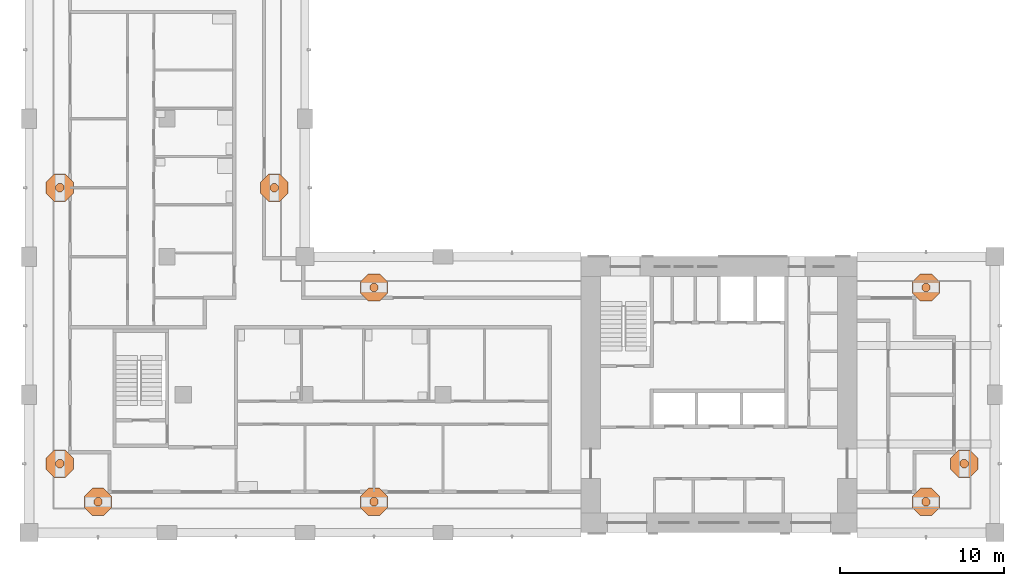
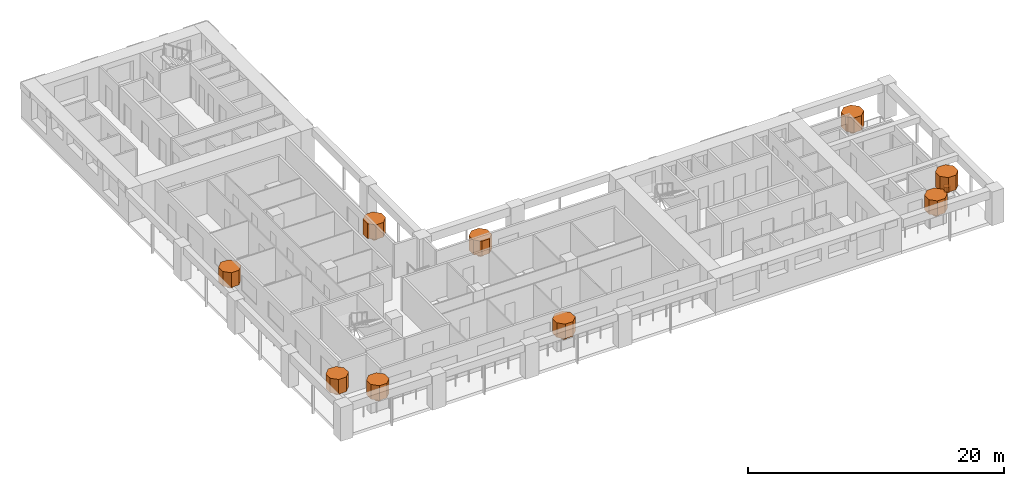
# One storey, part 13 of 13: 18 geographic elements.
"""IFC4 building model written with IfcOpenShell, lengths in metres."""

from ifc_helpers import new_model, si_unit, direction, frame, origin, place, context, subcontext, project, spatial, polyline, outline, extrude, material, element, save


model = new_model("IFC4")

# Units and contexts
model_context = context("Model", 3, precision=1e-05, world=origin(), true_north=direction((0.0, 1.0)))
body_context = subcontext(model_context, "Body", "Model", "MODEL_VIEW")
ifc_project = project(units=[si_unit("LENGTHUNIT", "METRE"), si_unit("AREAUNIT", "SQUARE_METRE"), si_unit("VOLUMEUNIT", "CUBIC_METRE"), si_unit("PLANEANGLEUNIT", "RADIAN"), si_unit("MASSUNIT", "GRAM", prefix="KILO")], contexts=[model_context])

# Site, building, storey
site_placement = place(None, origin())
site = spatial("IfcSite", under=ifc_project, at=site_placement, CompositionType="ELEMENT")
building_placement = place(site_placement, origin())
building = spatial("IfcBuilding", under=site, at=building_placement, Name="Vermilion Gate Residences", CompositionType="ELEMENT")
storey_placement = place(building_placement, frame((0.0, 0.0, 158.199951171875)))
storey = spatial("IfcBuildingStorey", under=building, at=storey_placement, Name="L40", CompositionType="ELEMENT", Elevation=158.199951171875)

# Geographic elements
ifc_material = material(Name="Foliage")
geographic_element_1_placement = place(storey_placement, frame((0.0, 0.0, 0.900146484375)))
element("IfcGeographicElement", 1, at=geographic_element_1_placement, inside=storey, material=ifc_material, Name="Tree (maple)", ObjectType="TREE", PredefinedType="USERDEFINED", context=body_context, shape_type="SweptSolid", body=[
    extrude(outline(polyline([(12.85400390625, 10.380126953125), (12.705078125, 10.529052734375), (12.494873046875, 10.529052734375), (12.345947265625, 10.380126953125), (12.345947265625, 10.169921875), (12.494873046875, 10.02099609375), (12.705078125, 10.02099609375), (12.85400390625, 10.169921875), (12.85400390625, 10.380126953125)])), origin(), (0.0, 0.0, 1.0), 0.52001953125),
])
geographic_element_2_placement = place(storey_placement, frame((0.0, 0.0, 1.420166015625)))
element("IfcGeographicElement", 2, at=geographic_element_2_placement, inside=storey, material=ifc_material, Name="Tree crown (maple)", ObjectType="TREE", PredefinedType="USERDEFINED", context=body_context, shape_type="SweptSolid", body=[
    extrude(outline(polyline([(13.431396484375, 10.619384765625), (12.9443359375, 11.1064453125), (12.255615234375, 11.1064453125), (11.7685546875, 10.619384765625), (11.7685546875, 9.9306640625), (12.255615234375, 9.443603515625), (12.9443359375, 9.443603515625), (13.431396484375, 9.9306640625), (13.431396484375, 10.619384765625)])), origin(), (0.0, 0.0, 1.0), 1.39990234375),
])
geographic_element_3_placement = place(storey_placement, frame((0.0, 0.0, 0.900146484375)))
element("IfcGeographicElement", 3, at=geographic_element_3_placement, inside=storey, material=ifc_material, Name="Tree (black pine)", ObjectType="TREE", PredefinedType="USERDEFINED", context=body_context, shape_type="SweptSolid", body=[
    extrude(outline(polyline([(29.654052734375, 10.380126953125), (29.505126953125, 10.529052734375), (29.294921875, 10.529052734375), (29.14599609375, 10.380126953125), (29.14599609375, 10.169921875), (29.294921875, 10.02099609375), (29.505126953125, 10.02099609375), (29.654052734375, 10.169921875), (29.654052734375, 10.380126953125)])), origin(), (0.0, 0.0, 1.0), 0.52001953125),
])
geographic_element_4_placement = place(storey_placement, frame((0.0, 0.0, 1.420166015625)))
element("IfcGeographicElement", 4, at=geographic_element_4_placement, inside=storey, material=ifc_material, Name="Tree crown (black pine)", ObjectType="TREE", PredefinedType="USERDEFINED", context=body_context, shape_type="SweptSolid", body=[
    extrude(outline(polyline([(30.2314453125, 10.619384765625), (29.744384765625, 11.1064453125), (29.0556640625, 11.1064453125), (28.568603515625, 10.619384765625), (28.568603515625, 9.9306640625), (29.0556640625, 9.443603515625), (29.744384765625, 9.443603515625), (30.2314453125, 9.9306640625), (30.2314453125, 10.619384765625)])), origin(), (0.0, 0.0, 1.0), 1.39990234375),
])
geographic_element_5_placement = place(storey_placement, frame((0.0, 0.0, 0.900146484375)))
element("IfcGeographicElement", 5, at=geographic_element_5_placement, inside=storey, material=ifc_material, Name="Tree (black pine)", ObjectType="TREE", PredefinedType="USERDEFINED", context=body_context, shape_type="SweptSolid", body=[
    extrude(outline(polyline([(63.254150390625, 10.380126953125), (63.105224609375, 10.529052734375), (62.894775390625, 10.529052734375), (62.745849609375, 10.380126953125), (62.745849609375, 10.169921875), (62.894775390625, 10.02099609375), (63.105224609375, 10.02099609375), (63.254150390625, 10.169921875), (63.254150390625, 10.380126953125)])), origin(), (0.0, 0.0, 1.0), 0.52001953125),
])
geographic_element_6_placement = place(storey_placement, frame((0.0, 0.0, 1.420166015625)))
element("IfcGeographicElement", 6, at=geographic_element_6_placement, inside=storey, material=ifc_material, Name="Tree crown (black pine)", ObjectType="TREE", PredefinedType="USERDEFINED", context=body_context, shape_type="SweptSolid", body=[
    extrude(outline(polyline([(63.83154296875, 10.619384765625), (63.344482421875, 11.1064453125), (62.655517578125, 11.1064453125), (62.16845703125, 10.619384765625), (62.16845703125, 9.9306640625), (62.655517578125, 9.443603515625), (63.344482421875, 9.443603515625), (63.83154296875, 9.9306640625), (63.83154296875, 10.619384765625)])), origin(), (0.0, 0.0, 1.0), 1.39990234375),
])
geographic_element_7_placement = place(storey_placement, frame((0.0, 0.0, 0.900146484375)))
element("IfcGeographicElement", 7, at=geographic_element_7_placement, inside=storey, material=ifc_material, Name="Tree (maple)", ObjectType="TREE", PredefinedType="USERDEFINED", context=body_context, shape_type="SweptSolid", body=[
    extrude(outline(polyline([(65.5791015625, 12.705078125), (65.43017578125, 12.85400390625), (65.2197265625, 12.85400390625), (65.07080078125, 12.705078125), (65.07080078125, 12.494873046875), (65.2197265625, 12.345947265625), (65.43017578125, 12.345947265625), (65.5791015625, 12.494873046875), (65.5791015625, 12.705078125)])), origin(), (0.0, 0.0, 1.0), 0.52001953125),
])
geographic_element_8_placement = place(storey_placement, frame((0.0, 0.0, 1.420166015625)))
element("IfcGeographicElement", 8, at=geographic_element_8_placement, inside=storey, material=ifc_material, Name="Tree crown (maple)", ObjectType="TREE", PredefinedType="USERDEFINED", context=body_context, shape_type="SweptSolid", body=[
    extrude(outline(polyline([(66.156494140625, 12.9443359375), (65.66943359375, 13.431396484375), (64.980712890625, 13.431396484375), (64.493408203125, 12.9443359375), (64.493408203125, 12.255615234375), (64.980712890625, 11.7685546875), (65.66943359375, 11.7685546875), (66.156494140625, 12.255615234375), (66.156494140625, 12.9443359375)])), origin(), (0.0, 0.0, 1.0), 1.39990234375),
])
geographic_element_9_placement = place(storey_placement, frame((0.0, 0.0, 0.900146484375)))
element("IfcGeographicElement", 9, at=geographic_element_9_placement, inside=storey, material=ifc_material, Name="Tree (black pine)", ObjectType="TREE", PredefinedType="USERDEFINED", context=body_context, shape_type="SweptSolid", body=[
    extrude(outline(polyline([(29.654052734375, 23.43017578125), (29.505126953125, 23.5791015625), (29.294921875, 23.5791015625), (29.14599609375, 23.43017578125), (29.14599609375, 23.2197265625), (29.294921875, 23.07080078125), (29.505126953125, 23.07080078125), (29.654052734375, 23.2197265625), (29.654052734375, 23.43017578125)])), origin(), (0.0, 0.0, 1.0), 0.52001953125),
])
geographic_element_10_placement = place(storey_placement, frame((0.0, 0.0, 1.420166015625)))
element("IfcGeographicElement", 10, at=geographic_element_10_placement, inside=storey, material=ifc_material, Name="Tree crown (black pine)", ObjectType="TREE", PredefinedType="USERDEFINED", context=body_context, shape_type="SweptSolid", body=[
    extrude(outline(polyline([(30.2314453125, 23.66943359375), (29.744384765625, 24.156494140625), (29.0556640625, 24.156494140625), (28.568603515625, 23.66943359375), (28.568603515625, 22.980712890625), (29.0556640625, 22.493408203125), (29.744384765625, 22.493408203125), (30.2314453125, 22.980712890625), (30.2314453125, 23.66943359375)])), origin(), (0.0, 0.0, 1.0), 1.39990234375),
])
geographic_element_11_placement = place(storey_placement, frame((0.0, 0.0, 0.900146484375)))
element("IfcGeographicElement", 11, at=geographic_element_11_placement, inside=storey, material=ifc_material, Name="Tree (black pine)", ObjectType="TREE", PredefinedType="USERDEFINED", context=body_context, shape_type="SweptSolid", body=[
    extrude(outline(polyline([(63.254150390625, 23.43017578125), (63.105224609375, 23.5791015625), (62.894775390625, 23.5791015625), (62.745849609375, 23.43017578125), (62.745849609375, 23.2197265625), (62.894775390625, 23.07080078125), (63.105224609375, 23.07080078125), (63.254150390625, 23.2197265625), (63.254150390625, 23.43017578125)])), origin(), (0.0, 0.0, 1.0), 0.52001953125),
])
geographic_element_12_placement = place(storey_placement, frame((0.0, 0.0, 1.420166015625)))
element("IfcGeographicElement", 12, at=geographic_element_12_placement, inside=storey, material=ifc_material, Name="Tree crown (black pine)", ObjectType="TREE", PredefinedType="USERDEFINED", context=body_context, shape_type="SweptSolid", body=[
    extrude(outline(polyline([(63.83154296875, 23.66943359375), (63.344482421875, 24.156494140625), (62.655517578125, 24.156494140625), (62.16845703125, 23.66943359375), (62.16845703125, 22.980712890625), (62.655517578125, 22.493408203125), (63.344482421875, 22.493408203125), (63.83154296875, 22.980712890625), (63.83154296875, 23.66943359375)])), origin(), (0.0, 0.0, 1.0), 1.39990234375),
])
geographic_element_13_placement = place(storey_placement, frame((0.0, 0.0, 0.900146484375)))
element("IfcGeographicElement", 13, at=geographic_element_13_placement, inside=storey, material=ifc_material, Name="Tree (black pine)", ObjectType="TREE", PredefinedType="USERDEFINED", context=body_context, shape_type="SweptSolid", body=[
    extrude(outline(polyline([(23.5791015625, 29.505126953125), (23.43017578125, 29.654052734375), (23.2197265625, 29.654052734375), (23.07080078125, 29.505126953125), (23.07080078125, 29.294921875), (23.2197265625, 29.14599609375), (23.43017578125, 29.14599609375), (23.5791015625, 29.294921875), (23.5791015625, 29.505126953125)])), origin(), (0.0, 0.0, 1.0), 0.52001953125),
])
geographic_element_14_placement = place(storey_placement, frame((0.0, 0.0, 1.420166015625)))
element("IfcGeographicElement", 14, at=geographic_element_14_placement, inside=storey, material=ifc_material, Name="Tree crown (black pine)", ObjectType="TREE", PredefinedType="USERDEFINED", context=body_context, shape_type="SweptSolid", body=[
    extrude(outline(polyline([(24.156494140625, 29.744384765625), (23.66943359375, 30.2314453125), (22.980712890625, 30.2314453125), (22.493408203125, 29.744384765625), (22.493408203125, 29.0556640625), (22.980712890625, 28.568603515625), (23.66943359375, 28.568603515625), (24.156494140625, 29.0556640625), (24.156494140625, 29.744384765625)])), origin(), (0.0, 0.0, 1.0), 1.39990234375),
])
geographic_element_15_placement = place(storey_placement, frame((0.0, 0.0, 0.900146484375)))
element("IfcGeographicElement", 15, at=geographic_element_15_placement, inside=storey, material=ifc_material, Name="Tree (maple)", ObjectType="TREE", PredefinedType="USERDEFINED", context=body_context, shape_type="SweptSolid", body=[
    extrude(outline(polyline([(10.529052734375, 12.705078125), (10.380126953125, 12.85400390625), (10.169921875, 12.85400390625), (10.02099609375, 12.705078125), (10.02099609375, 12.494873046875), (10.169921875, 12.345947265625), (10.380126953125, 12.345947265625), (10.529052734375, 12.494873046875), (10.529052734375, 12.705078125)])), origin(), (0.0, 0.0, 1.0), 0.52001953125),
])
geographic_element_16_placement = place(storey_placement, frame((0.0, 0.0, 1.420166015625)))
element("IfcGeographicElement", 16, at=geographic_element_16_placement, inside=storey, material=ifc_material, Name="Tree crown (maple)", ObjectType="TREE", PredefinedType="USERDEFINED", context=body_context, shape_type="SweptSolid", body=[
    extrude(outline(polyline([(11.1064453125, 12.9443359375), (10.619384765625, 13.431396484375), (9.9306640625, 13.431396484375), (9.443603515625, 12.9443359375), (9.443603515625, 12.255615234375), (9.9306640625, 11.7685546875), (10.619384765625, 11.7685546875), (11.1064453125, 12.255615234375), (11.1064453125, 12.9443359375)])), origin(), (0.0, 0.0, 1.0), 1.39990234375),
])
geographic_element_17_placement = place(storey_placement, frame((0.0, 0.0, 0.900146484375)))
element("IfcGeographicElement", 17, at=geographic_element_17_placement, inside=storey, material=ifc_material, Name="Tree (black pine)", ObjectType="TREE", PredefinedType="USERDEFINED", context=body_context, shape_type="SweptSolid", body=[
    extrude(outline(polyline([(10.529052734375, 29.505126953125), (10.380126953125, 29.654052734375), (10.169921875, 29.654052734375), (10.02099609375, 29.505126953125), (10.02099609375, 29.294921875), (10.169921875, 29.14599609375), (10.380126953125, 29.14599609375), (10.529052734375, 29.294921875), (10.529052734375, 29.505126953125)])), origin(), (0.0, 0.0, 1.0), 0.52001953125),
])
geographic_element_18_placement = place(storey_placement, frame((0.0, 0.0, 1.420166015625)))
element("IfcGeographicElement", 18, at=geographic_element_18_placement, inside=storey, material=ifc_material, Name="Tree crown (black pine)", ObjectType="TREE", PredefinedType="USERDEFINED", context=body_context, shape_type="SweptSolid", body=[
    extrude(outline(polyline([(11.1064453125, 29.744384765625), (10.619384765625, 30.2314453125), (9.9306640625, 30.2314453125), (9.443603515625, 29.744384765625), (9.443603515625, 29.0556640625), (9.9306640625, 28.568603515625), (10.619384765625, 28.568603515625), (11.1064453125, 29.0556640625), (11.1064453125, 29.744384765625)])), origin(), (0.0, 0.0, 1.0), 1.39990234375),
])

save(model, "model.ifc")
